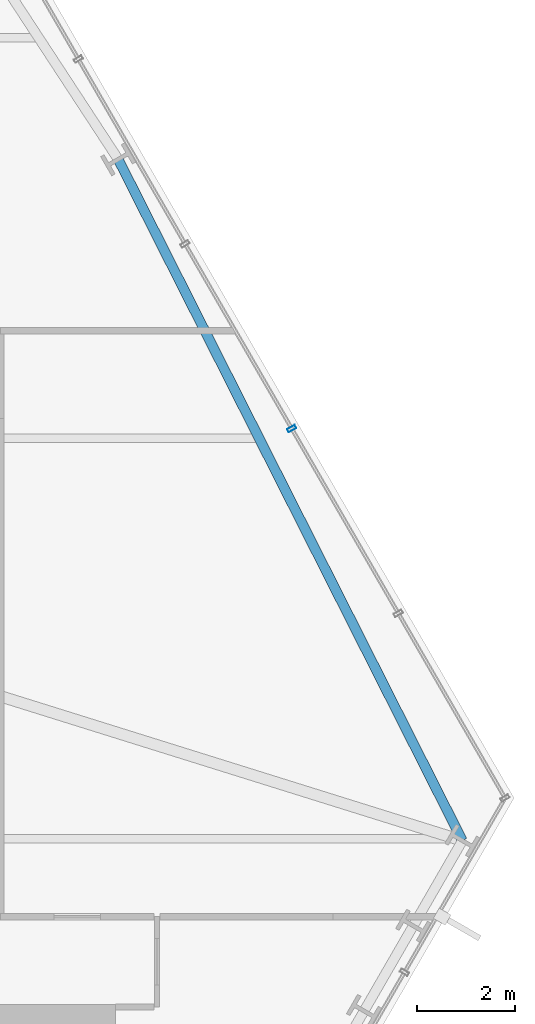
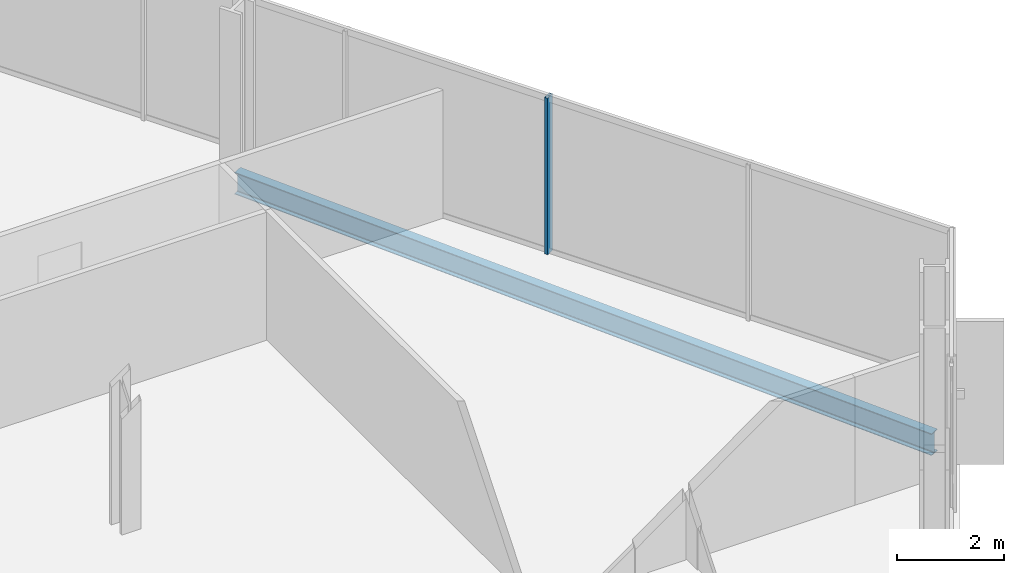
# One storey, part 17 of 33: 1 beam, 1 member, 1 element without a shape of its own.
"""IFC4 building model written with IfcOpenShell, lengths in metres."""

from ifc_helpers import new_model, si_unit, direction, frame, origin, origin_2d, place, context, subcontext, project, spatial, hollow_rectangle, i_section, extrude, material, layer, layer_set, material_profile, profile_set, type_object, element, aggregate, save


model = new_model("IFC4")

# Units and contexts
model_context = context("Model", 3, precision=1e-05, world=origin(), true_north=direction((0.0, 1.0)))
body_context = subcontext(model_context, "Body", "Model", "MODEL_VIEW")
ifc_project = project(units=[si_unit("LENGTHUNIT", "METRE"), si_unit("AREAUNIT", "SQUARE_METRE"), si_unit("VOLUMEUNIT", "CUBIC_METRE"), si_unit("PLANEANGLEUNIT", "RADIAN"), si_unit("MASSUNIT", "GRAM", prefix="KILO")], contexts=[model_context])

# Site, building, storey
site_placement = place(None, origin())
site = spatial("IfcSite", under=ifc_project, at=site_placement, CompositionType="ELEMENT")
building_placement = place(site_placement, origin())
building = spatial("IfcBuilding", under=site, at=building_placement, Name="Ndaravel Arena Tower", CompositionType="ELEMENT")
storey_placement = place(building_placement, frame((0.0, 0.0, 36.0)))
storey = spatial("IfcBuildingStorey", under=building, at=storey_placement, Name="L06", CompositionType="ELEMENT", Elevation=36.0)

# Beam
ifc_material_1 = material(Name="Steel S355", Category="steel")
ifc_material_profile_1 = material_profile(ifc_material_1, i_section(OverallWidth=0.199951171875, OverallDepth=0.5, WebThickness=0.01025390625, FlangeThickness=0.01611328125, FilletRadius=0.02099609375, at=origin_2d()), Name="IPE 500")
ifc_profile_set_1 = profile_set([ifc_material_profile_1], Name="Steel S355")
beam_type = type_object("IfcBeamType", Name="BM-SPAN-IPE500", PredefinedType="SPANDREL", material=ifc_profile_set_1)
beam_placement = place(storey_placement, frame((64.654052734375, 18.55810546875, -0.469970703125), z_axis=(-0.450914536682, 0.892567129469, 0.0), x_axis=(-0.892567129469, -0.450914536682, 0.0)))
element("IfcBeam", 1, at=beam_placement, inside=storey, type_object=beam_type, Name="L06 Perimeter Spandrel Beam SP-09", PredefinedType="SPANDREL", context=body_context, shape_type="SweptSolid", body=[
    extrude(i_section(OverallWidth=0.199951171875, OverallDepth=0.5, WebThickness=0.01025390625, FlangeThickness=0.01611328125, FilletRadius=0.02099609375, at=origin_2d()), origin(), (0.0, 0.0, 1.0), 15.631103515625),
])

# Curtain wall, member
ifc_material_2 = material(Name="Aluminium", Category="aluminium")
ifc_layer = layer(ifc_material_2, 0.179931640625)
ifc_layer_set = layer_set([ifc_layer], Name="Aluminium")
curtain_wall_type = type_object("IfcCurtainWallType", Name="CW-SYS-03", PredefinedType="NOTDEFINED", material=ifc_layer_set)
curtain_wall_placement = place(storey_placement, origin())
curtain_wall = element("IfcCurtainWall", 2, at=curtain_wall_placement, inside=storey, type_object=curtain_wall_type, Name="L06 Faceted Crystal Curtain Wall CW-L06-E03", PredefinedType="NOTDEFINED")
ifc_material_3 = material(Name="Aluminium", Category="aluminium")
ifc_material_profile_2 = material_profile(ifc_material_3, hollow_rectangle(XDim=0.074951171875, YDim=0.179931640625, WallThickness=0.00390625, at=origin_2d()), Name="CW MULLION 75x180x4")
ifc_profile_set_2 = profile_set([ifc_material_profile_2], Name="Aluminium")
member_type = type_object("IfcMemberType", Name="MEM-CW-MUL180", PredefinedType="MULLION", material=ifc_profile_set_2)
member_placement = place(storey_placement, frame((61.158935546875, 26.99560546875, 0.0), z_axis=(0.0, 0.0, 1.0), x_axis=(-0.5, 0.866025403784, 0.0)))
member = element("IfcMember", 3, at=member_placement, type_object=member_type, Name="CW-L06-E03 Mullion 02", PredefinedType="MULLION", context=body_context, shape_type="SweptSolid", body=[
    extrude(hollow_rectangle(XDim=0.074951171875, YDim=0.179931640625, WallThickness=0.00390625, at=origin_2d()), origin(), (0.0, 0.0, 1.0), 3.580078125),
])
aggregate(curtain_wall, [member])

save(model, "model.ifc")
